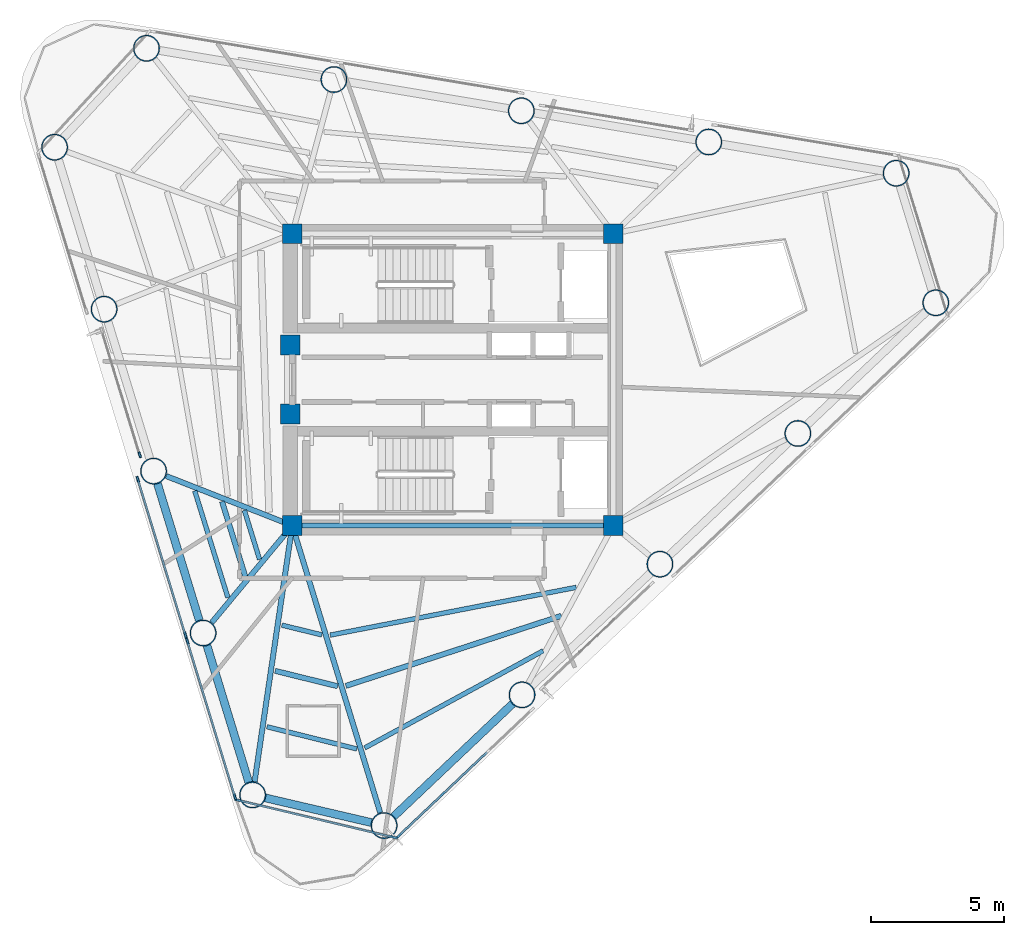
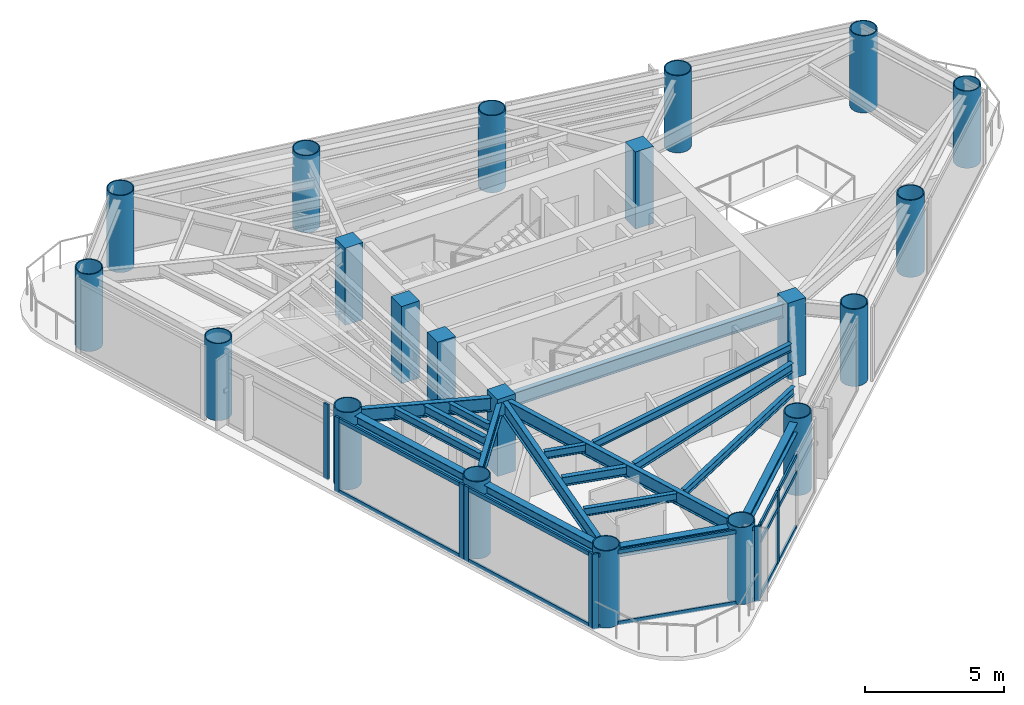
# One storey, part 1 of 9: 21 columns, 21 members, 18 beams, 5 elements without a shape of their own.
"""IFC4 building model written with IfcOpenShell, lengths in metres."""

from ifc_helpers import new_model, si_unit, direction, frame, origin, origin_2d, place, context, subcontext, project, spatial, rectangle, hollow_circle, i_section, extrude, source, transform, mapped, material, layer, layer_set, material_profile, profile_set, type_object, element, aggregate, save


model = new_model("IFC4")

# Units and contexts
model_context = context("Model", 3, precision=1e-05, world=origin(), true_north=direction((0.0, 1.0)))
body_context = subcontext(model_context, "Body", "Model", "MODEL_VIEW")
ifc_project = project(units=[si_unit("LENGTHUNIT", "METRE"), si_unit("AREAUNIT", "SQUARE_METRE"), si_unit("VOLUMEUNIT", "CUBIC_METRE"), si_unit("PLANEANGLEUNIT", "RADIAN"), si_unit("MASSUNIT", "GRAM", prefix="KILO")], contexts=[model_context])

# Site, building, storey
site_placement = place(None, origin())
site = spatial("IfcSite", under=ifc_project, at=site_placement, CompositionType="ELEMENT")
building_placement = place(site_placement, origin())
building = spatial("IfcBuilding", under=site, at=building_placement, Name="Yunling Apex Tower", CompositionType="ELEMENT")
storey_placement = place(building_placement, frame((0.0, 0.0, 228.64990234375)))
storey = spatial("IfcBuildingStorey", under=building, at=storey_placement, Name="L55", CompositionType="ELEMENT", Elevation=228.64990234375)

# Columns
ifc_material_1 = material(Name="Concrete C50", Category="concrete")
ifc_material_profile_1 = material_profile(ifc_material_1, rectangle(XDim=0.75, YDim=0.75, at=origin_2d()))
ifc_profile_set_1 = profile_set([ifc_material_profile_1], Name="Concrete C50")
column_type_1 = type_object("IfcColumnType", Name="PC-SRC-4", PredefinedType="COLUMN", material=ifc_profile_set_1)
shared_shape_1 = source(origin(), body_context, "Body", "SweptSolid", [
    extrude(rectangle(XDim=0.75, YDim=0.75, at=origin_2d()), origin(), (0.0, 0.0, 1.0), 3.400146484375),
])
for number, where, z_axis, x_axis, name in (
    (1, (-6.050048828125, -5.5, 0.0), (0.0, 0.0, 1.0), (1.0, 0.0, 0.0), "L55 Core Spine Column CC-SW"),
    (2, (6.050048828125, -5.5, 0.0), (0.0, 0.0, 1.0), (1.0, 0.0, 0.0), "L55 Core Spine Column CC-SE"),
    (3, (6.050048828125, 5.5, 0.0), (0.0, 0.0, 1.0), (1.0, 0.0, 0.0), "L55 Core Spine Column CC-NE"),
    (4, (-6.050048828125, 5.5, 0.0), (0.0, 0.0, 1.0), (1.0, 0.0, 0.0), "L55 Core Spine Column CC-NW"),
    (5, (-6.125, -1.300048828125, 0.0), (0.0, 0.0, 1.0), (1.0, 0.0, 0.0), "L55 Core West Portal Jamb Column S"),
    (6, (-6.125, 1.300048828125, 0.0), (0.0, 0.0, 1.0), (1.0, 0.0, 0.0), "L55 Core West Portal Jamb Column N"),
):
    element("IfcColumn", number, at=place(storey_placement, frame(where, z_axis=z_axis, x_axis=x_axis)), inside=storey, type_object=column_type_1, Name=name, PredefinedType="COLUMN", context=body_context, shape_type="MappedRepresentation", body=[
        mapped(shared_shape_1, transform((0.0, 0.0, 0.0), scale=1.0)),
    ])
ifc_material_2 = material(Name="Steel Q390GJC", Category="steel")
ifc_material_profile_2 = material_profile(ifc_material_2, hollow_circle(Radius=0.5, WallThickness=0.0400390625, at=origin_2d()))
ifc_profile_set_2 = profile_set([ifc_material_profile_2], Name="Steel Q390GJC")
column_type_2 = type_object("IfcColumnType", Name="MC-CFST-5", PredefinedType="COLUMN", material=ifc_profile_set_2)
shared_shape_2 = source(origin(), body_context, "Body", "SweptSolid", [
    extrude(hollow_circle(Radius=0.5, WallThickness=0.0400390625, at=origin_2d()), origin(), (0.0, 0.0, 1.0), 3.400146484375),
])
for number, where, z_axis, x_axis, name in (
    (7, (-2.58740234375, -16.807861328125, 0.0), (0.0, 0.0, 1.0), (1.0, 0.0, 0.0), "L55 Perimeter CFST Mega-Column P01"),
    (8, (2.61083984375, -11.8818359375, 0.0), (0.0, 0.0, 1.0), (1.0, 0.0, 0.0), "L55 Perimeter CFST Mega-Column P02"),
    (9, (7.80908203125, -6.9560546875, 0.0), (0.0, 0.0, 1.0), (1.0, 0.0, 0.0), "L55 Perimeter CFST Mega-Column P03"),
    (10, (13.007080078125, -2.030029296875, 0.0), (0.0, 0.0, 1.0), (1.0, 0.0, 0.0), "L55 Perimeter CFST Mega-Column P04"),
    (11, (18.205322265625, 2.89599609375, 0.0), (0.0, 0.0, 1.0), (1.0, 0.0, 0.0), "L55 Perimeter CFST Mega-Column P05"),
    (12, (16.712158203125, 7.779296875, 0.0), (0.0, 0.0, 1.0), (1.0, 0.0, 0.0), "L55 Perimeter CFST Mega-Column P06"),
    (13, (9.648193359375, 8.95654296875, 0.0), (0.0, 0.0, 1.0), (1.0, 0.0, 0.0), "L55 Perimeter CFST Mega-Column P07"),
    (14, (2.584228515625, 10.133544921875, 0.0), (0.0, 0.0, 1.0), (1.0, 0.0, 0.0), "L55 Perimeter CFST Mega-Column P08"),
    (15, (-4.479736328125, 11.310546875, 0.0), (0.0, 0.0, 1.0), (1.0, 0.0, 0.0), "L55 Perimeter CFST Mega-Column P09"),
    (16, (-11.543701171875, 12.487548828125, 0.0), (0.0, 0.0, 1.0), (1.0, 0.0, 0.0), "L55 Perimeter CFST Mega-Column P10"),
    (17, (-15.007568359375, 8.7587890625, 0.0), (0.0, 0.0, 1.0), (1.0, 0.0, 0.0), "L55 Perimeter CFST Mega-Column P11"),
    (18, (-13.1416015625, 2.65576171875, 0.0), (0.0, 0.0, 1.0), (1.0, 0.0, 0.0), "L55 Perimeter CFST Mega-Column P12"),
    (19, (-11.27587890625, -3.447509765625, 0.0), (0.0, 0.0, 1.0), (1.0, 0.0, 0.0), "L55 Perimeter CFST Mega-Column P13"),
    (20, (-9.409912109375, -9.55029296875, 0.0), (0.0, 0.0, 1.0), (1.0, 0.0, 0.0), "L55 Perimeter CFST Mega-Column P14"),
    (21, (-7.5439453125, -15.6533203125, 0.0), (0.0, 0.0, 1.0), (1.0, 0.0, 0.0), "L55 Perimeter CFST Mega-Column P15"),
):
    element("IfcColumn", number, at=place(storey_placement, frame(where, z_axis=z_axis, x_axis=x_axis)), inside=storey, type_object=column_type_2, Name=name, PredefinedType="COLUMN", context=body_context, shape_type="MappedRepresentation", body=[
        mapped(shared_shape_2, transform((0.0, 0.0, 0.0), scale=1.0)),
    ])

# Beams
ifc_material_3 = material(Name="Steel Q355B", Category="steel")
ifc_material_profile_3 = material_profile(ifc_material_3, i_section(OverallWidth=0.199951171875, OverallDepth=0.60009765625, WebThickness=0.010986328125, FlangeThickness=0.01708984375, FilletRadius=0.02197265625, at=origin_2d()))
ifc_profile_set_3 = profile_set([ifc_material_profile_3], Name="Steel Q355B")
beam_type_1 = type_object("IfcBeamType", Name="BG-PRI-5", PredefinedType="USERDEFINED", material=ifc_profile_set_3)
shared_shape_3 = source(origin(), body_context, "Body", "SweptSolid", [
    extrude(i_section(OverallWidth=0.199951171875, OverallDepth=0.60009765625, WebThickness=0.010986328125, FlangeThickness=0.01708984375, FilletRadius=0.02197265625, at=origin_2d()), origin(), (0.0, 0.0, 1.0), 11.7998046875),
])
beam_1_placement = place(storey_placement, frame((-5.89990234375, -5.5, 2.920166015625), z_axis=(1.0, 0.0, 0.0), x_axis=(0.0, 1.0, 0.0)))
element("IfcBeam", 22, at=beam_1_placement, inside=storey, type_object=beam_type_1, Name="L55 Core Ring Tie Beam 1", ObjectType="GIRDER", PredefinedType="USERDEFINED", context=body_context, shape_type="MappedRepresentation", body=[
    mapped(shared_shape_3, transform((0.0, 0.0, 0.0), scale=1.0)),
])
ifc_material_profile_4 = material_profile(ifc_material_3, i_section(OverallWidth=0.300048828125, OverallDepth=0.43994140625, WebThickness=0.010986328125, FlangeThickness=0.01806640625, FilletRadius=0.02197265625, at=origin_2d()))
ifc_profile_set_4 = profile_set([ifc_material_profile_4], Name="Steel Q355B")
beam_type_2 = type_object("IfcBeamType", Name="BP-SPN-3", PredefinedType="SPANDREL", material=ifc_profile_set_4)
shared_shape_4 = source(origin(), body_context, "Body", "SweptSolid", [
    extrude(i_section(OverallWidth=0.300048828125, OverallDepth=0.43994140625, WebThickness=0.010986328125, FlangeThickness=0.01806640625, FilletRadius=0.02197265625, at=origin_2d()), origin(), (0.0, 0.0, 1.0), 6.17333984375),
])
beam_2_placement = place(storey_placement, frame((-2.228759765625, -16.468017578125, 3.0), z_axis=(0.725853952128, 0.687848849807, 0.0), x_axis=(-0.687848849807, 0.725853952128, 0.0)))
element("IfcBeam", 23, at=beam_2_placement, inside=storey, type_object=beam_type_2, Name="L55 Perimeter Spandrel Beam 1", PredefinedType="SPANDREL", context=body_context, shape_type="MappedRepresentation", body=[
    mapped(shared_shape_4, transform((0.0, 0.0, 0.0), scale=1.0)),
])
shared_shape_5 = source(origin(), body_context, "Body", "SweptSolid", [
    extrude(i_section(OverallWidth=0.300048828125, OverallDepth=0.43994140625, WebThickness=0.010986328125, FlangeThickness=0.01806640625, FilletRadius=0.02197265625, at=origin_2d()), origin(), (0.0, 0.0, 1.0), 4.1015625),
])
beam_3_placement = place(storey_placement, frame((-7.06298828125, -15.765380859375, 3.0), z_axis=(0.973930702249, -0.226845734401, 0.0), x_axis=(0.226845734401, 0.973930702249, 0.0)))
element("IfcBeam", 24, at=beam_3_placement, inside=storey, type_object=beam_type_2, Name="L55 Perimeter Spandrel Beam 15", PredefinedType="SPANDREL", context=body_context, shape_type="MappedRepresentation", body=[
    mapped(shared_shape_5, transform((0.0, 0.0, 0.0), scale=1.0)),
])
shared_shape_6 = source(origin(), body_context, "Body", "SweptSolid", [
    extrude(i_section(OverallWidth=0.300048828125, OverallDepth=0.43994140625, WebThickness=0.010986328125, FlangeThickness=0.01806640625, FilletRadius=0.02197265625, at=origin_2d()), origin(), (0.0, 0.0, 1.0), 5.393798828125),
])
for number, where, z_axis, x_axis, name in (
    (25, (-11.13134765625, -3.919921875, 3.0), (0.292405975038, -0.956294277805, 0.0), (0.956294277805, 0.292405975038, 0.0), "L55 Perimeter Spandrel Beam 13"),
    (26, (-9.265380859375, -10.022705078125, 3.0), (0.292351925226, -0.956310802938, 0.0), (0.956310802938, 0.292351925226, 0.0), "L55 Perimeter Spandrel Beam 14"),
):
    element("IfcBeam", number, at=place(storey_placement, frame(where, z_axis=z_axis, x_axis=x_axis)), inside=storey, type_object=beam_type_2, Name=name, PredefinedType="SPANDREL", context=body_context, shape_type="MappedRepresentation", body=[
        mapped(shared_shape_6, transform((0.0, 0.0, 0.0), scale=1.0)),
    ])
shared_shape_7 = source(origin(), body_context, "Body", "SweptSolid", [
    extrude(i_section(OverallWidth=0.199951171875, OverallDepth=0.60009765625, WebThickness=0.010986328125, FlangeThickness=0.01708984375, FilletRadius=0.02197265625, at=origin_2d()), origin(), (0.0, 0.0, 1.0), 11.23828125),
])
beam_4_placement = place(storey_placement, frame((-2.736083984375, -16.322265625, 2.920166015625), z_axis=(-0.292794126511, 0.956175506631, 0.0), x_axis=(-0.956175506631, -0.292794126511, 0.0)))
element("IfcBeam", 27, at=beam_4_placement, inside=storey, type_object=beam_type_1, Name="L55 Radial Primary Girder R01", ObjectType="GIRDER", PredefinedType="USERDEFINED", context=body_context, shape_type="MappedRepresentation", body=[
    mapped(shared_shape_7, transform((0.0, 0.0, 0.0), scale=1.0)),
])
shared_shape_8 = source(origin(), body_context, "Body", "SweptSolid", [
    extrude(i_section(OverallWidth=0.199951171875, OverallDepth=0.60009765625, WebThickness=0.010986328125, FlangeThickness=0.01708984375, FilletRadius=0.02197265625, at=origin_2d()), origin(), (0.0, 0.0, 1.0), 5.0263671875),
])
beam_5_placement = place(storey_placement, frame((-10.802978515625, -3.633056640625, 2.920166015625), z_axis=(0.930773335483, -0.365596769617, 0.0), x_axis=(0.365596769617, 0.930773335483, 0.0)))
element("IfcBeam", 28, at=beam_5_placement, inside=storey, type_object=beam_type_1, Name="L55 Radial Primary Girder R13", ObjectType="GIRDER", PredefinedType="USERDEFINED", context=body_context, shape_type="MappedRepresentation", body=[
    mapped(shared_shape_8, transform((0.0, 0.0, 0.0), scale=1.0)),
])
shared_shape_9 = source(origin(), body_context, "Body", "SweptSolid", [
    extrude(i_section(OverallWidth=0.199951171875, OverallDepth=0.60009765625, WebThickness=0.010986328125, FlangeThickness=0.01708984375, FilletRadius=0.02197265625, at=origin_2d()), origin(), (0.0, 0.0, 1.0), 4.6748046875),
])
beam_6_placement = place(storey_placement, frame((-9.085693359375, -9.159423828125, 2.920166015625), z_axis=(0.63846190647, 0.769653424593, 0.0), x_axis=(-0.769653424593, 0.63846190647, 0.0)))
element("IfcBeam", 29, at=beam_6_placement, inside=storey, type_object=beam_type_1, Name="L55 Radial Primary Girder R14", ObjectType="GIRDER", PredefinedType="USERDEFINED", context=body_context, shape_type="MappedRepresentation", body=[
    mapped(shared_shape_9, transform((0.0, 0.0, 0.0), scale=1.0)),
])
shared_shape_10 = source(origin(), body_context, "Body", "SweptSolid", [
    extrude(i_section(OverallWidth=0.199951171875, OverallDepth=0.60009765625, WebThickness=0.010986328125, FlangeThickness=0.01708984375, FilletRadius=0.02197265625, at=origin_2d()), origin(), (0.0, 0.0, 1.0), 9.6748046875),
])
beam_7_placement = place(storey_placement, frame((-7.469970703125, -15.15087890625, 2.920166015625), z_axis=(0.145578261909, 0.989346738843, 0.0), x_axis=(-0.989346738843, 0.145578261909, 0.0)))
element("IfcBeam", 30, at=beam_7_placement, inside=storey, type_object=beam_type_1, Name="L55 Radial Primary Girder R15", ObjectType="GIRDER", PredefinedType="USERDEFINED", context=body_context, shape_type="MappedRepresentation", body=[
    mapped(shared_shape_10, transform((0.0, 0.0, 0.0), scale=1.0)),
])
ifc_material_profile_5 = material_profile(ifc_material_3, i_section(OverallWidth=0.199951171875, OverallDepth=0.39990234375, WebThickness=0.008056640625, FlangeThickness=0.012939453125, FilletRadius=0.01611328125, at=origin_2d()))
ifc_profile_set_5 = profile_set([ifc_material_profile_5], Name="Steel Q355B")
beam_type_3 = type_object("IfcBeamType", Name="BS-SEC-4", PredefinedType="BEAM", material=ifc_profile_set_5)
shared_shape_11 = source(origin(), body_context, "Body", "SweptSolid", [
    extrude(i_section(OverallWidth=0.199951171875, OverallDepth=0.39990234375, WebThickness=0.008056640625, FlangeThickness=0.012939453125, FilletRadius=0.01611328125, at=origin_2d()), origin(), (0.0, 0.0, 1.0), 8.540283203125),
])
beam_8_placement = place(storey_placement, frame((-4.03173828125, -11.544677734375, 3.02001953125), z_axis=(0.950990153104, 0.309221164702, 0.0), x_axis=(-0.309221164702, 0.950990153104, 0.0)))
element("IfcBeam", 31, at=beam_8_placement, inside=storey, type_object=beam_type_3, Name="L55 Composite Floor Beam BS-1", PredefinedType="BEAM", context=body_context, shape_type="MappedRepresentation", body=[
    mapped(shared_shape_11, transform((0.0, 0.0, 0.0), scale=1.0)),
])
ifc_material_profile_6 = material_profile(ifc_material_3, i_section(OverallWidth=0.175048828125, OverallDepth=0.35009765625, WebThickness=0.007080078125, FlangeThickness=0.010986328125, FilletRadius=0.013916015625, at=origin_2d()))
ifc_profile_set_6 = profile_set([ifc_material_profile_6], Name="Steel Q355B")
beam_type_4 = type_object("IfcBeamType", Name="BJ-JST-1", PredefinedType="JOIST", material=ifc_profile_set_6)
shared_shape_12 = source(origin(), body_context, "Body", "SweptSolid", [
    extrude(i_section(OverallWidth=0.175048828125, OverallDepth=0.35009765625, WebThickness=0.007080078125, FlangeThickness=0.010986328125, FilletRadius=0.013916015625, at=origin_2d()), origin(), (0.0, 0.0, 1.0), 7.657470703125),
])
beam_9_placement = place(storey_placement, frame((-3.3193359375, -13.881591796875, 3.045166015625), z_axis=(0.878333844235, 0.478047757104, 0.0), x_axis=(-0.478047757104, 0.878333844235, 0.0)))
element("IfcBeam", 32, at=beam_9_placement, inside=storey, type_object=beam_type_4, Name="L55 Composite Floor Joist BJ1-1", PredefinedType="JOIST", context=body_context, shape_type="MappedRepresentation", body=[
    mapped(shared_shape_12, transform((0.0, 0.0, 0.0), scale=1.0)),
])
shared_shape_13 = source(origin(), body_context, "Body", "SweptSolid", [
    extrude(i_section(OverallWidth=0.175048828125, OverallDepth=0.35009765625, WebThickness=0.007080078125, FlangeThickness=0.010986328125, FilletRadius=0.013916015625, at=origin_2d()), origin(), (0.0, 0.0, 1.0), 9.4462890625),
])
beam_10_placement = place(storey_placement, frame((-4.619140625, -9.62939453125, 3.045166015625), z_axis=(0.981676272709, 0.190556279353, 0.0), x_axis=(-0.190556279353, 0.981676272709, 0.0)))
element("IfcBeam", 33, at=beam_10_placement, inside=storey, type_object=beam_type_4, Name="L55 Composite Floor Joist BJ3-1", PredefinedType="JOIST", context=body_context, shape_type="MappedRepresentation", body=[
    mapped(shared_shape_13, transform((0.0, 0.0, 0.0), scale=1.0)),
])
shared_shape_14 = source(origin(), body_context, "Body", "SweptSolid", [
    extrude(i_section(OverallWidth=0.199951171875, OverallDepth=0.39990234375, WebThickness=0.008056640625, FlangeThickness=0.012939453125, FilletRadius=0.01611328125, at=origin_2d()), origin(), (0.0, 0.0, 1.0), 2.9619140625),
])
beam_11_placement = place(storey_placement, frame((-8.697021484375, -4.594482421875, 3.02001953125), z_axis=(0.296152913488, -0.955140540356, 0.0), x_axis=(0.955140540356, 0.296152913488, 0.0)))
element("IfcBeam", 34, at=beam_11_placement, inside=storey, type_object=beam_type_3, Name="L55 Composite Floor Beam BS-13", PredefinedType="BEAM", context=body_context, shape_type="MappedRepresentation", body=[
    mapped(shared_shape_14, transform((0.0, 0.0, 0.0), scale=1.0)),
])
shared_shape_15 = source(origin(), body_context, "Body", "SweptSolid", [
    extrude(i_section(OverallWidth=0.175048828125, OverallDepth=0.35009765625, WebThickness=0.007080078125, FlangeThickness=0.010986328125, FilletRadius=0.013916015625, at=origin_2d()), origin(), (0.0, 0.0, 1.0), 4.21435546875),
])
beam_12_placement = place(storey_placement, frame((-9.726318359375, -4.190185546875, 3.045166015625), z_axis=(0.296539510889, -0.955020585371, 0.0), x_axis=(0.955020585371, 0.296539510889, 0.0)))
element("IfcBeam", 35, at=beam_12_placement, inside=storey, type_object=beam_type_4, Name="L55 Composite Floor Joist BJ1-13", PredefinedType="JOIST", context=body_context, shape_type="MappedRepresentation", body=[
    mapped(shared_shape_15, transform((0.0, 0.0, 0.0), scale=1.0)),
])
shared_shape_16 = source(origin(), body_context, "Body", "SweptSolid", [
    extrude(i_section(OverallWidth=0.175048828125, OverallDepth=0.35009765625, WebThickness=0.007080078125, FlangeThickness=0.010986328125, FilletRadius=0.013916015625, at=origin_2d()), origin(), (0.0, 0.0, 1.0), 1.93701171875),
])
beam_13_placement = place(storey_placement, frame((-7.85498046875, -4.92529296875, 3.045166015625), z_axis=(0.295546803782, -0.955328261266, 0.0), x_axis=(0.955328261266, 0.295546803782, 0.0)))
element("IfcBeam", 36, at=beam_13_placement, inside=storey, type_object=beam_type_4, Name="L55 Composite Floor Joist BJ3-13", PredefinedType="JOIST", context=body_context, shape_type="MappedRepresentation", body=[
    mapped(shared_shape_16, transform((0.0, 0.0, 0.0), scale=1.0)),
])
shared_shape_17 = source(origin(), body_context, "Body", "SweptSolid", [
    extrude(i_section(OverallWidth=0.199951171875, OverallDepth=0.39990234375, WebThickness=0.008056640625, FlangeThickness=0.012939453125, FilletRadius=0.01611328125, at=origin_2d()), origin(), (0.0, 0.0, 1.0), 2.42578125),
])
beam_14_placement = place(storey_placement, frame((-6.69482421875, -10.977294921875, 3.02001953125), z_axis=(0.971134786196, -0.23853139634, 0.0), x_axis=(0.23853139634, 0.971134786196, 0.0)))
element("IfcBeam", 37, at=beam_14_placement, inside=storey, type_object=beam_type_3, Name="L55 Composite Floor Beam BS-15", PredefinedType="BEAM", context=body_context, shape_type="MappedRepresentation", body=[
    mapped(shared_shape_17, transform((0.0, 0.0, 0.0), scale=1.0)),
])
shared_shape_18 = source(origin(), body_context, "Body", "SweptSolid", [
    extrude(i_section(OverallWidth=0.175048828125, OverallDepth=0.35009765625, WebThickness=0.007080078125, FlangeThickness=0.010986328125, FilletRadius=0.013916015625, at=origin_2d()), origin(), (0.0, 0.0, 1.0), 3.4912109375),
])
beam_15_placement = place(storey_placement, frame((-7.0048828125, -13.08349609375, 3.045166015625), z_axis=(0.970878392095, -0.239572844376, 0.0), x_axis=(0.239572844376, 0.970878392095, 0.0)))
element("IfcBeam", 38, at=beam_15_placement, inside=storey, type_object=beam_type_4, Name="L55 Composite Floor Joist BJ1-15", PredefinedType="JOIST", context=body_context, shape_type="MappedRepresentation", body=[
    mapped(shared_shape_18, transform((0.0, 0.0, 0.0), scale=1.0)),
])
shared_shape_19 = source(origin(), body_context, "Body", "SweptSolid", [
    extrude(i_section(OverallWidth=0.175048828125, OverallDepth=0.35009765625, WebThickness=0.007080078125, FlangeThickness=0.010986328125, FilletRadius=0.013916015625, at=origin_2d()), origin(), (0.0, 0.0, 1.0), 1.553955078125),
])
beam_16_placement = place(storey_placement, frame((-6.44140625, -9.254150390625, 3.045166015625), z_axis=(0.971567073494, -0.23676448573, 0.0), x_axis=(0.23676448573, 0.971567073494, 0.0)))
element("IfcBeam", 39, at=beam_16_placement, inside=storey, type_object=beam_type_4, Name="L55 Composite Floor Joist BJ3-15", PredefinedType="JOIST", context=body_context, shape_type="MappedRepresentation", body=[
    mapped(shared_shape_19, transform((0.0, 0.0, 0.0), scale=1.0)),
])

# Curtain wall, members
ifc_material_4 = material(Name="Bronze anodised aluminium", Category="aluminium")
ifc_layer = layer(ifc_material_4, 0.219970703125)
ifc_layer_set = layer_set([ifc_layer], Name="Bronze anodised aluminium")
curtain_wall_type = type_object("IfcCurtainWallType", Name="CW-SYS-4", PredefinedType="NOTDEFINED", material=ifc_layer_set)
curtain_wall_1_placement = place(storey_placement, origin())
curtain_wall_1 = element("IfcCurtainWall", 40, at=curtain_wall_1_placement, inside=storey, type_object=curtain_wall_type, Name="CW-L55-F1-B1", PredefinedType="NOTDEFINED")
ifc_material_profile_7 = material_profile(ifc_material_4, rectangle(XDim=0.080078125, YDim=0.219970703125, at=origin_2d()))
ifc_profile_set_7 = profile_set([ifc_material_profile_7], Name="Bronze anodised aluminium")
member_type_1 = type_object("IfcMemberType", Name="CW-MUL-4", PredefinedType="MULLION", material=ifc_profile_set_7)
shared_shape_20 = source(origin(), body_context, "Body", "SweptSolid", [
    extrude(rectangle(XDim=0.080078125, YDim=0.219970703125, at=origin_2d()), origin(), (0.0, 0.0, 1.0), 3.31982421875),
])
member_1_placement = place(storey_placement, frame((-2.04638671875, -17.204345703125, -0.0498046875), z_axis=(0.0, 0.0, 1.0), x_axis=(-0.687848040467, 0.72585471909, 0.0)))
member_1 = element("IfcMember", 41, at=member_1_placement, type_object=member_type_1, Name="CW-SYS-4 mullion 1", PredefinedType="MULLION", context=body_context, shape_type="MappedRepresentation", body=[
    mapped(shared_shape_20, transform((0.0, 0.0, 0.0), scale=1.0)),
])
member_2_placement = place(storey_placement, frame((-0.38134765625, -15.626708984375, -0.0498046875), z_axis=(0.0, 0.0, 1.0), x_axis=(-0.687848040467, 0.72585471909, 0.0)))
member_2 = element("IfcMember", 42, at=member_2_placement, type_object=member_type_1, Name="CW-SYS-4 mullion 2", PredefinedType="MULLION", context=body_context, shape_type="MappedRepresentation", body=[
    mapped(shared_shape_20, transform((0.0, 0.0, 0.0), scale=1.0)),
])

# Curtain wall, member
curtain_wall_2_placement = place(storey_placement, origin())
curtain_wall_2 = element("IfcCurtainWall", 43, at=curtain_wall_2_placement, inside=storey, type_object=curtain_wall_type, Name="CW-L55-F3-B2", PredefinedType="NOTDEFINED")
member_3_placement = place(storey_placement, frame((-11.798095703125, -2.833251953125, -0.0498046875), z_axis=(0.0, 0.0, 1.0), x_axis=(0.956304345474, 0.29237304737, 0.0)))
member_3 = element("IfcMember", 44, at=member_3_placement, type_object=member_type_1, Name="CW-SYS-4 mullion 2", PredefinedType="MULLION", context=body_context, shape_type="MappedRepresentation", body=[
    mapped(shared_shape_20, transform((0.0, 0.0, 0.0), scale=1.0)),
])
aggregate(curtain_wall_2, [member_3])

# Curtain wall, members
curtain_wall_3_placement = place(storey_placement, origin())
curtain_wall_3 = element("IfcCurtainWall", 45, at=curtain_wall_3_placement, inside=storey, type_object=curtain_wall_type, Name="CW-L55-F3-B3", PredefinedType="NOTDEFINED")
member_4_placement = place(storey_placement, frame((-11.871826171875, -3.755126953125, -0.0498046875), z_axis=(0.0, 0.0, 1.0), x_axis=(0.956304646078, 0.29237206414, 0.0)))
member_4 = element("IfcMember", 46, at=member_4_placement, type_object=member_type_1, Name="CW-SYS-4 mullion 1", PredefinedType="MULLION", context=body_context, shape_type="MappedRepresentation", body=[
    mapped(shared_shape_20, transform((0.0, 0.0, 0.0), scale=1.0)),
])
member_5_placement = place(storey_placement, frame((-10.076171875, -9.628662109375, -0.0498046875), z_axis=(0.0, 0.0, 1.0), x_axis=(0.956304646078, 0.29237206414, 0.0)))
member_5 = element("IfcMember", 47, at=member_5_placement, type_object=member_type_1, Name="CW-SYS-4 mullion 2", PredefinedType="MULLION", context=body_context, shape_type="MappedRepresentation", body=[
    mapped(shared_shape_20, transform((0.0, 0.0, 0.0), scale=1.0)),
])

curtain_wall_4_placement = place(storey_placement, origin())
curtain_wall_4 = element("IfcCurtainWall", 48, at=curtain_wall_4_placement, inside=storey, type_object=curtain_wall_type, Name="CW-L55-F3-B4", PredefinedType="NOTDEFINED")
member_6_placement = place(storey_placement, frame((-10.005859375, -9.858154296875, -0.0498046875), z_axis=(0.0, 0.0, 1.0), x_axis=(0.956304646078, 0.29237206414, 0.0)))
member_6 = element("IfcMember", 49, at=member_6_placement, type_object=member_type_1, Name="CW-SYS-4 mullion 1", PredefinedType="MULLION", context=body_context, shape_type="MappedRepresentation", body=[
    mapped(shared_shape_20, transform((0.0, 0.0, 0.0), scale=1.0)),
])
member_7_placement = place(storey_placement, frame((-8.210205078125, -15.731689453125, -0.0498046875), z_axis=(0.0, 0.0, 1.0), x_axis=(0.956304646078, 0.29237206414, 0.0)))
member_7 = element("IfcMember", 50, at=member_7_placement, type_object=member_type_1, Name="CW-SYS-4 mullion 2", PredefinedType="MULLION", context=body_context, shape_type="MappedRepresentation", body=[
    mapped(shared_shape_20, transform((0.0, 0.0, 0.0), scale=1.0)),
])

curtain_wall_5_placement = place(storey_placement, origin())
curtain_wall_5 = element("IfcCurtainWall", 51, at=curtain_wall_5_placement, inside=storey, type_object=curtain_wall_type, Name="CW-L55-CRN3", PredefinedType="NOTDEFINED")
member_8_placement = place(storey_placement, frame((-8.1171875, -15.849853515625, -0.0498046875), z_axis=(0.0, 0.0, 1.0), x_axis=(0.231809474992, 0.97276120775, 0.0)))
member_8 = element("IfcMember", 52, at=member_8_placement, type_object=member_type_1, Name="CW-SYS-4 mullion 1", PredefinedType="MULLION", context=body_context, shape_type="MappedRepresentation", body=[
    mapped(shared_shape_20, transform((0.0, 0.0, 0.0), scale=1.0)),
])
member_9_placement = place(storey_placement, frame((-2.18603515625, -17.26318359375, -0.0498046875), z_axis=(0.0, 0.0, 1.0), x_axis=(0.231809474992, 0.97276120775, 0.0)))
member_9 = element("IfcMember", 53, at=member_9_placement, type_object=member_type_1, Name="CW-SYS-4 mullion 2", PredefinedType="MULLION", context=body_context, shape_type="MappedRepresentation", body=[
    mapped(shared_shape_20, transform((0.0, 0.0, 0.0), scale=1.0)),
])

# Member
ifc_material_profile_8 = material_profile(ifc_material_4, rectangle(XDim=0.080078125, YDim=0.169921875, at=origin_2d()))
ifc_profile_set_8 = profile_set([ifc_material_profile_8], Name="Bronze anodised aluminium")
member_type_2 = type_object("IfcMemberType", Name="CW-TRN-4", PredefinedType="USERDEFINED", material=ifc_profile_set_8)
shared_shape_21 = source(origin(), body_context, "Body", "SweptSolid", [
    extrude(rectangle(XDim=0.080078125, YDim=0.169921875, at=origin_2d()), origin(), (0.0, 0.0, 1.0), 2.2216796875),
])
member_10_placement = place(storey_placement, frame((-2.02001953125, -17.1796875, 0.0400390625), z_axis=(0.725808289903, 0.687897031763, 0.0), x_axis=(-0.687897031763, 0.725808289903, 0.0)))
member_10 = element("IfcMember", 54, at=member_10_placement, type_object=member_type_2, Name="CW-SYS-4 transom 1.1", ObjectType="TRANSOM", PredefinedType="USERDEFINED", context=body_context, shape_type="MappedRepresentation", body=[
    mapped(shared_shape_21, transform((0.0, 0.0, 0.0), scale=1.0)),
])

member_11_placement = place(storey_placement, frame((-2.02001953125, -17.1796875, 2.447265625), z_axis=(0.725808289903, 0.687897031763, 0.0), x_axis=(-0.687897031763, 0.725808289903, 0.0)))
member_11 = element("IfcMember", 55, at=member_11_placement, type_object=member_type_2, Name="CW-SYS-4 transom 1.2", ObjectType="TRANSOM", PredefinedType="USERDEFINED", context=body_context, shape_type="MappedRepresentation", body=[
    mapped(shared_shape_21, transform((0.0, 0.0, 0.0), scale=1.0)),
])

member_12_placement = place(storey_placement, frame((-2.02001953125, -17.1796875, 3.18017578125), z_axis=(0.725808289903, 0.687897031763, 0.0), x_axis=(-0.687897031763, 0.725808289903, 0.0)))
member_12 = element("IfcMember", 56, at=member_12_placement, type_object=member_type_2, Name="CW-SYS-4 transom 1.3", ObjectType="TRANSOM", PredefinedType="USERDEFINED", context=body_context, shape_type="MappedRepresentation", body=[
    mapped(shared_shape_21, transform((0.0, 0.0, 0.0), scale=1.0)),
])

shared_shape_22 = source(origin(), body_context, "Body", "SweptSolid", [
    extrude(rectangle(XDim=0.080078125, YDim=0.169921875, at=origin_2d()), origin(), (0.0, 0.0, 1.0), 2.26171875),
])
member_13_placement = place(storey_placement, frame((-0.355224609375, -15.601806640625, 0.0400390625), z_axis=(0.725901626713, 0.687798537608, 0.0), x_axis=(-0.687798537608, 0.725901626713, 0.0)))
member_13 = element("IfcMember", 57, at=member_13_placement, type_object=member_type_2, Name="CW-SYS-4 transom 2.1", ObjectType="TRANSOM", PredefinedType="USERDEFINED", context=body_context, shape_type="MappedRepresentation", body=[
    mapped(shared_shape_22, transform((0.0, 0.0, 0.0), scale=1.0)),
])

member_14_placement = place(storey_placement, frame((-0.355224609375, -15.601806640625, 2.447265625), z_axis=(0.725901626713, 0.687798537608, 0.0), x_axis=(-0.687798537608, 0.725901626713, 0.0)))
member_14 = element("IfcMember", 58, at=member_14_placement, type_object=member_type_2, Name="CW-SYS-4 transom 2.2", ObjectType="TRANSOM", PredefinedType="USERDEFINED", context=body_context, shape_type="MappedRepresentation", body=[
    mapped(shared_shape_22, transform((0.0, 0.0, 0.0), scale=1.0)),
])

member_15_placement = place(storey_placement, frame((-0.355224609375, -15.601806640625, 3.18017578125), z_axis=(0.725901626713, 0.687798537608, 0.0), x_axis=(-0.687798537608, 0.725901626713, 0.0)))
member_15 = element("IfcMember", 59, at=member_15_placement, type_object=member_type_2, Name="CW-SYS-4 transom 2.3", ObjectType="TRANSOM", PredefinedType="USERDEFINED", context=body_context, shape_type="MappedRepresentation", body=[
    mapped(shared_shape_22, transform((0.0, 0.0, 0.0), scale=1.0)),
])

aggregate(curtain_wall_1, [member_1, member_2, member_10, member_11, member_12, member_13, member_14, member_15])

shared_shape_23 = source(origin(), body_context, "Body", "SweptSolid", [
    extrude(rectangle(XDim=0.080078125, YDim=0.169921875, at=origin_2d()), origin(), (0.0, 0.0, 1.0), 6.06982421875),
])
member_16_placement = place(storey_placement, frame((-11.861328125, -3.78955078125, 0.0400390625), z_axis=(0.292369766892, -0.956305348415, 0.0), x_axis=(0.956305348415, 0.292369766892, 0.0)))
member_16 = element("IfcMember", 60, at=member_16_placement, type_object=member_type_2, Name="CW-SYS-4 transom 1.1", ObjectType="TRANSOM", PredefinedType="USERDEFINED", context=body_context, shape_type="MappedRepresentation", body=[
    mapped(shared_shape_23, transform((0.0, 0.0, 0.0), scale=1.0)),
])

member_17_placement = place(storey_placement, frame((-11.861328125, -3.78955078125, 3.18017578125), z_axis=(0.292369766892, -0.956305348415, 0.0), x_axis=(0.956305348415, 0.292369766892, 0.0)))
member_17 = element("IfcMember", 61, at=member_17_placement, type_object=member_type_2, Name="CW-SYS-4 transom 1.2", ObjectType="TRANSOM", PredefinedType="USERDEFINED", context=body_context, shape_type="MappedRepresentation", body=[
    mapped(shared_shape_23, transform((0.0, 0.0, 0.0), scale=1.0)),
])

aggregate(curtain_wall_3, [member_4, member_5, member_16, member_17])

member_18_placement = place(storey_placement, frame((-9.995361328125, -9.892578125, 0.0400390625), z_axis=(0.292369766892, -0.956305348415, 0.0), x_axis=(0.956305348415, 0.292369766892, 0.0)))
member_18 = element("IfcMember", 62, at=member_18_placement, type_object=member_type_2, Name="CW-SYS-4 transom 1.1", ObjectType="TRANSOM", PredefinedType="USERDEFINED", context=body_context, shape_type="MappedRepresentation", body=[
    mapped(shared_shape_23, transform((0.0, 0.0, 0.0), scale=1.0)),
])

member_19_placement = place(storey_placement, frame((-9.995361328125, -9.892578125, 3.18017578125), z_axis=(0.292369766892, -0.956305348415, 0.0), x_axis=(0.956305348415, 0.292369766892, 0.0)))
member_19 = element("IfcMember", 63, at=member_19_placement, type_object=member_type_2, Name="CW-SYS-4 transom 1.2", ObjectType="TRANSOM", PredefinedType="USERDEFINED", context=body_context, shape_type="MappedRepresentation", body=[
    mapped(shared_shape_23, transform((0.0, 0.0, 0.0), scale=1.0)),
])

aggregate(curtain_wall_4, [member_6, member_7, member_18, member_19])

shared_shape_24 = source(origin(), body_context, "Body", "SweptSolid", [
    extrude(rectangle(XDim=0.080078125, YDim=0.169921875, at=origin_2d()), origin(), (0.0, 0.0, 1.0), 6.02490234375),
])
member_20_placement = place(storey_placement, frame((-8.08203125, -15.858154296875, 0.0400390625), z_axis=(0.972757933043, -0.231823216485, 0.0), x_axis=(0.231823216485, 0.972757933043, 0.0)))
member_20 = element("IfcMember", 64, at=member_20_placement, type_object=member_type_2, Name="CW-SYS-4 transom 1.1", ObjectType="TRANSOM", PredefinedType="USERDEFINED", context=body_context, shape_type="MappedRepresentation", body=[
    mapped(shared_shape_24, transform((0.0, 0.0, 0.0), scale=1.0)),
])

member_21_placement = place(storey_placement, frame((-8.08203125, -15.858154296875, 3.18017578125), z_axis=(0.972757933043, -0.231823216485, 0.0), x_axis=(0.231823216485, 0.972757933043, 0.0)))
member_21 = element("IfcMember", 65, at=member_21_placement, type_object=member_type_2, Name="CW-SYS-4 transom 1.2", ObjectType="TRANSOM", PredefinedType="USERDEFINED", context=body_context, shape_type="MappedRepresentation", body=[
    mapped(shared_shape_24, transform((0.0, 0.0, 0.0), scale=1.0)),
])

aggregate(curtain_wall_5, [member_8, member_9, member_20, member_21])

save(model, "model.ifc")
